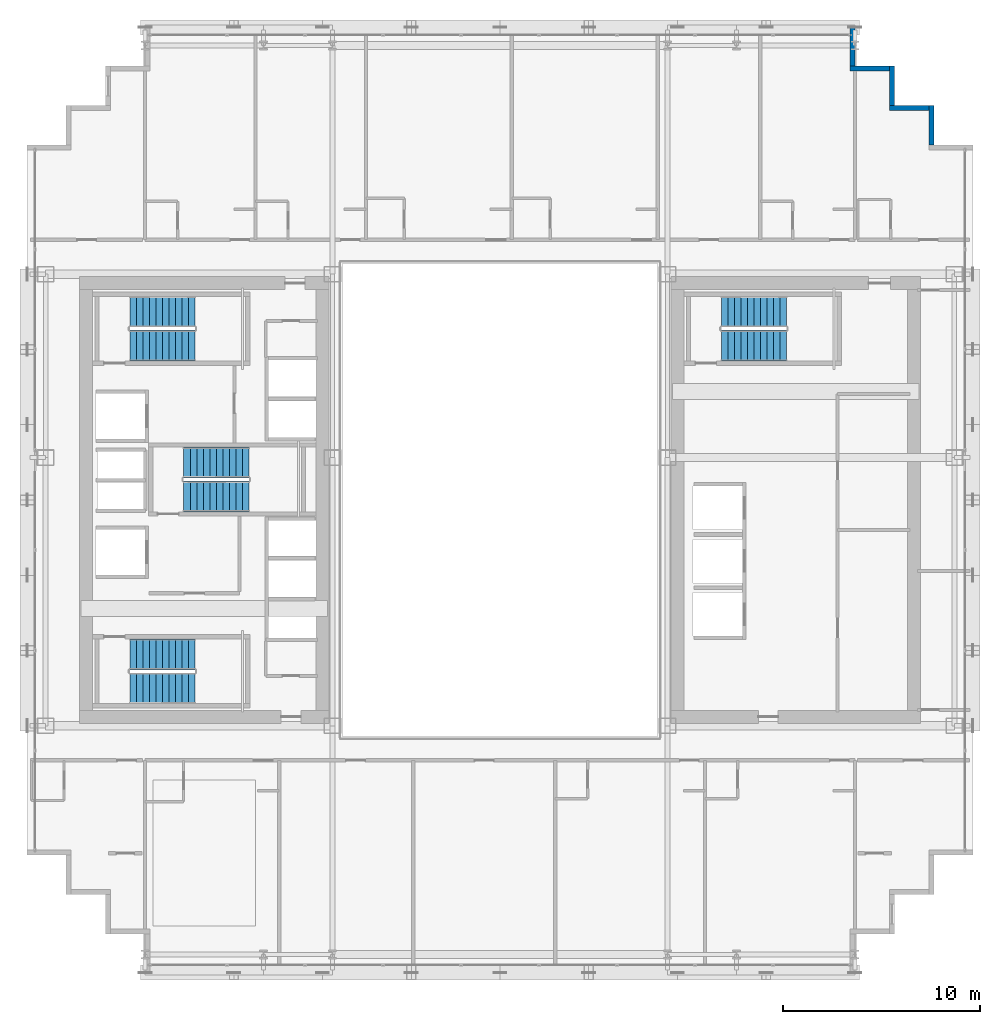
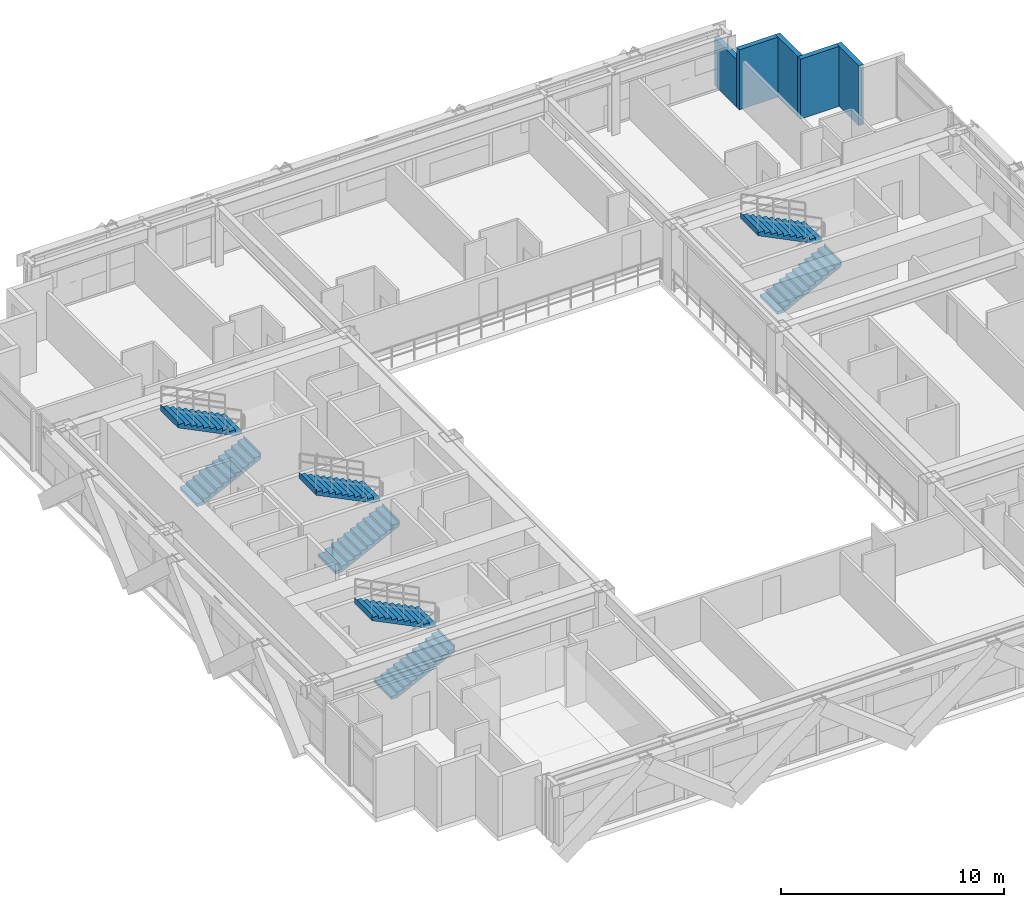
# One storey, part 32 of 36: 8 stair flights, 5 walls, 4 elements without a shape of their own.
"""IFC4 building model written with IfcOpenShell, lengths in metres."""

from ifc_helpers import new_model, si_unit, direction, frame, frame_2d, origin, place, context, subcontext, project, spatial, polyline, rectangle, outline, extrude, source, transform, mapped, material, layer, layer_set, type_object, element, aggregate, save


model = new_model("IFC4")

# Units and contexts
model_context = context("Model", 3, precision=1e-05, world=origin(), true_north=direction((0.0, 1.0)))
body_context = subcontext(model_context, "Body", "Model", "MODEL_VIEW")
ifc_project = project(units=[si_unit("LENGTHUNIT", "METRE"), si_unit("AREAUNIT", "SQUARE_METRE"), si_unit("VOLUMEUNIT", "CUBIC_METRE"), si_unit("PLANEANGLEUNIT", "RADIAN"), si_unit("MASSUNIT", "GRAM", prefix="KILO")], contexts=[model_context])

# Site, building, storey
site_placement = place(None, origin())
site = spatial("IfcSite", under=ifc_project, at=site_placement, CompositionType="ELEMENT")
building_placement = place(site_placement, origin())
building = spatial("IfcBuilding", under=site, at=building_placement, Name="Ocotamira Hotel", CompositionType="ELEMENT")
storey_placement = place(building_placement, frame((0.0, 0.0, 147.60009765625)))
storey = spatial("IfcBuildingStorey", under=building, at=storey_placement, Name="L37", CompositionType="ELEMENT", Elevation=147.60009765625)

# Walls
ifc_material_1 = material(Name="Precast concrete C45/55", Category="concrete")
ifc_layer = layer(ifc_material_1, 0.25)
ifc_layer_set = layer_set([ifc_layer], Name="Precast concrete C45/55")
wall_type = type_object("IfcWallType", Name="WL-EXT-SER-250", PredefinedType="SOLIDWALL", material=ifc_layer_set)
for number, where, z_axis, x_axis, name in (
    (1, (53.875, 44.0, 0.0), (0.0, 0.0, 1.0), (0.0, 1.0, 0.0), "L37 Serrated Corner Wall 08"),
    (2, (53.75, 45.875, 0.0), (0.0, 0.0, 1.0), (-1.0, 0.0, 0.0), "L37 Serrated Corner Wall 09"),
    (3, (51.875, 46.0, 0.0), (0.0, 0.0, 1.0), (0.0, 1.0, 0.0), "L37 Serrated Corner Wall 10"),
    (4, (51.75, 47.875, 0.0), (0.0, 0.0, 1.0), (-1.0, 0.0, 0.0), "L37 Serrated Corner Wall 11"),
):
    element("IfcWall", number, at=place(storey_placement, frame(where, z_axis=z_axis, x_axis=x_axis)), inside=storey, type_object=wall_type, Name=name, PredefinedType="SOLIDWALL", context=body_context, shape_type="SweptSolid", body=[
        extrude(rectangle(XDim=2.0, YDim=0.25, at=frame_2d((1.0, 0.0))), origin(), (0.0, 0.0, 1.0), 3.27978515625),
    ])
wall_placement = place(storey_placement, frame((49.875, 48.0, 0.0), z_axis=(0.0, 0.0, 1.0), x_axis=(0.0, 1.0, 0.0)))
element("IfcWall", 5, at=wall_placement, inside=storey, type_object=wall_type, Name="L37 Serrated Corner Wall 12", PredefinedType="SOLIDWALL", context=body_context, shape_type="SweptSolid", body=[
    extrude(rectangle(XDim=2.0, YDim=0.25, at=frame_2d((1.0, 0.0))), origin(), (0.0, 0.0, 1.0), 2.5869140625),
])

# Stair, stair flights
ifc_material_2 = material(Name="Concrete C40/50", Category="concrete")
stair_type = type_object("IfcStairType", Name="ST-CORE-1560", PredefinedType="HALF_TURN_STAIR", material=ifc_material_2)
stair_1_placement = place(storey_placement, origin())
stair_1 = element("IfcStair", 6, at=stair_1_placement, inside=storey, type_object=stair_type, Name="L37 Exit Stair ST-1", PredefinedType="HALF_TURN_STAIR")
stair_flight_type = type_object("IfcStairFlightType", Name="STF-CORE-1560", PredefinedType="STRAIGHT", material=ifc_material_2)
shared_shape = source(origin(), body_context, "Body", "SweptSolid", [
    extrude(outline(polyline([(-0.00390625, 0.0), (-0.00390625, 0.16357421875), (0.330078125, 0.16357421875), (0.330078125, 0.327392578125), (0.659912109375, 0.327392578125), (0.659912109375, 0.490966796875), (0.989990234375, 0.490966796875), (0.989990234375, 0.654541015625), (1.320068359375, 0.654541015625), (1.320068359375, 0.818115234375), (1.64990234375, 0.818115234375), (1.64990234375, 0.98193359375), (1.97998046875, 0.98193359375), (1.97998046875, 1.1455078125), (2.31005859375, 1.1455078125), (2.31005859375, 1.30908203125), (2.639892578125, 1.30908203125), (2.639892578125, 1.47265625), (2.969970703125, 1.47265625), (2.969970703125, 1.636474609375), (3.300048828125, 1.636474609375), (3.300048828125, 1.800048828125), (3.303955078125, 1.800048828125), (3.303955078125, 1.468994140625), (0.33740234375, 0.0), (-0.00390625, 0.0)])), frame((0.0, 0.780029296875, 0.0), z_axis=(0.0, -1.0, 0.0), x_axis=(1.0, 0.0, 0.0)), (0.0, 0.0, 1.0), 1.56005859375),
])
stair_flight_1_placement = place(storey_placement, frame((13.22998046875, 16.449951171875, 0.0), z_axis=(0.0, 0.0, 1.0), x_axis=(1.0, 0.0, 0.0)))
stair_flight_1 = element("IfcStairFlight", 7, at=stair_flight_1_placement, type_object=stair_flight_type, Name="ST-1 flight 1", NumberOfRisers=11, NumberOfTreads=10, PredefinedType="STRAIGHT", RiserHeight=0.163636364, TreadLength=0.33, context=body_context, shape_type="MappedRepresentation", body=[
    mapped(shared_shape, transform((0.0, 0.0, 0.0), scale=1.0)),
])
stair_flight_2_placement = place(storey_placement, frame((16.530029296875, 18.169921875, 1.7998046875), z_axis=(0.0, 0.0, 1.0), x_axis=(-1.0, 0.0, 0.0)))
stair_flight_2 = element("IfcStairFlight", 8, at=stair_flight_2_placement, type_object=stair_flight_type, Name="ST-1 flight 2", NumberOfRisers=11, NumberOfTreads=10, PredefinedType="STRAIGHT", RiserHeight=0.163636364, TreadLength=0.33, context=body_context, shape_type="MappedRepresentation", body=[
    mapped(shared_shape, transform((0.0, 0.0, 0.0), scale=1.0)),
])
aggregate(stair_1, [stair_flight_1, stair_flight_2])

stair_2_placement = place(storey_placement, origin())
stair_2 = element("IfcStair", 9, at=stair_2_placement, inside=storey, type_object=stair_type, Name="L37 Exit Stair ST-2", PredefinedType="HALF_TURN_STAIR")
stair_flight_3_placement = place(storey_placement, frame((13.22998046875, 33.830078125, 0.0), z_axis=(0.0, 0.0, 1.0), x_axis=(1.0, 0.0, 0.0)))
stair_flight_3 = element("IfcStairFlight", 10, at=stair_flight_3_placement, type_object=stair_flight_type, Name="ST-2 flight 1", NumberOfRisers=11, NumberOfTreads=10, PredefinedType="STRAIGHT", RiserHeight=0.163636364, TreadLength=0.33, context=body_context, shape_type="MappedRepresentation", body=[
    mapped(shared_shape, transform((0.0, 0.0, 0.0), scale=1.0)),
])
stair_flight_4_placement = place(storey_placement, frame((16.530029296875, 35.550048828125, 1.7998046875), z_axis=(0.0, 0.0, 1.0), x_axis=(-1.0, 0.0, 0.0)))
stair_flight_4 = element("IfcStairFlight", 11, at=stair_flight_4_placement, type_object=stair_flight_type, Name="ST-2 flight 2", NumberOfRisers=11, NumberOfTreads=10, PredefinedType="STRAIGHT", RiserHeight=0.163636364, TreadLength=0.33, context=body_context, shape_type="MappedRepresentation", body=[
    mapped(shared_shape, transform((0.0, 0.0, 0.0), scale=1.0)),
])
aggregate(stair_2, [stair_flight_3, stair_flight_4])

stair_3_placement = place(storey_placement, origin())
stair_3 = element("IfcStair", 12, at=stair_3_placement, inside=storey, type_object=stair_type, Name="L37 Exit Stair ST-3", PredefinedType="HALF_TURN_STAIR")
stair_flight_5_placement = place(storey_placement, frame((15.9599609375, 26.179931640625, 0.0), z_axis=(0.0, 0.0, 1.0), x_axis=(1.0, 0.0, 0.0)))
stair_flight_5 = element("IfcStairFlight", 13, at=stair_flight_5_placement, type_object=stair_flight_type, Name="ST-3 flight 1", NumberOfRisers=11, NumberOfTreads=10, PredefinedType="STRAIGHT", RiserHeight=0.163636364, TreadLength=0.33, context=body_context, shape_type="MappedRepresentation", body=[
    mapped(shared_shape, transform((0.0, 0.0, 0.0), scale=1.0)),
])
stair_flight_6_placement = place(storey_placement, frame((19.260009765625, 27.89990234375, 1.7998046875), z_axis=(0.0, 0.0, 1.0), x_axis=(-1.0, 0.0, 0.0)))
stair_flight_6 = element("IfcStairFlight", 14, at=stair_flight_6_placement, type_object=stair_flight_type, Name="ST-3 flight 2", NumberOfRisers=11, NumberOfTreads=10, PredefinedType="STRAIGHT", RiserHeight=0.163636364, TreadLength=0.33, context=body_context, shape_type="MappedRepresentation", body=[
    mapped(shared_shape, transform((0.0, 0.0, 0.0), scale=1.0)),
])
aggregate(stair_3, [stair_flight_5, stair_flight_6])

stair_4_placement = place(storey_placement, origin())
stair_4 = element("IfcStair", 15, at=stair_4_placement, inside=storey, type_object=stair_type, Name="L37 Exit Stair ST-4", PredefinedType="HALF_TURN_STAIR")
stair_flight_7_placement = place(storey_placement, frame((43.22998046875, 33.830078125, 0.0), z_axis=(0.0, 0.0, 1.0), x_axis=(1.0, 0.0, 0.0)))
stair_flight_7 = element("IfcStairFlight", 16, at=stair_flight_7_placement, type_object=stair_flight_type, Name="ST-4 flight 1", NumberOfRisers=11, NumberOfTreads=10, PredefinedType="STRAIGHT", RiserHeight=0.163636364, TreadLength=0.33, context=body_context, shape_type="MappedRepresentation", body=[
    mapped(shared_shape, transform((0.0, 0.0, 0.0), scale=1.0)),
])
stair_flight_8_placement = place(storey_placement, frame((46.530029296875, 35.550048828125, 1.7998046875), z_axis=(0.0, 0.0, 1.0), x_axis=(-1.0, 0.0, 0.0)))
stair_flight_8 = element("IfcStairFlight", 17, at=stair_flight_8_placement, type_object=stair_flight_type, Name="ST-4 flight 2", NumberOfRisers=11, NumberOfTreads=10, PredefinedType="STRAIGHT", RiserHeight=0.163636364, TreadLength=0.33, context=body_context, shape_type="MappedRepresentation", body=[
    mapped(shared_shape, transform((0.0, 0.0, 0.0), scale=1.0)),
])
aggregate(stair_4, [stair_flight_7, stair_flight_8])

save(model, "model.ifc")
